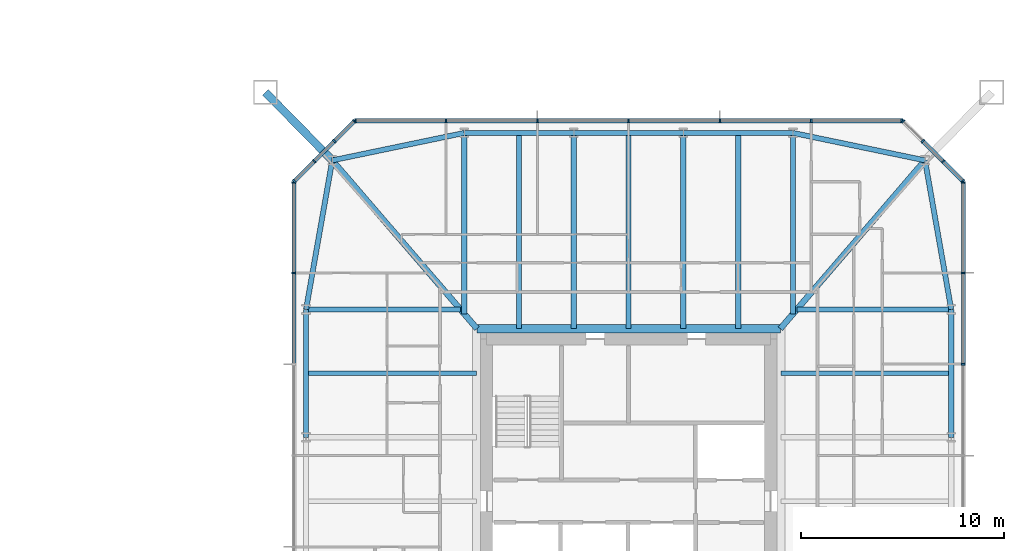
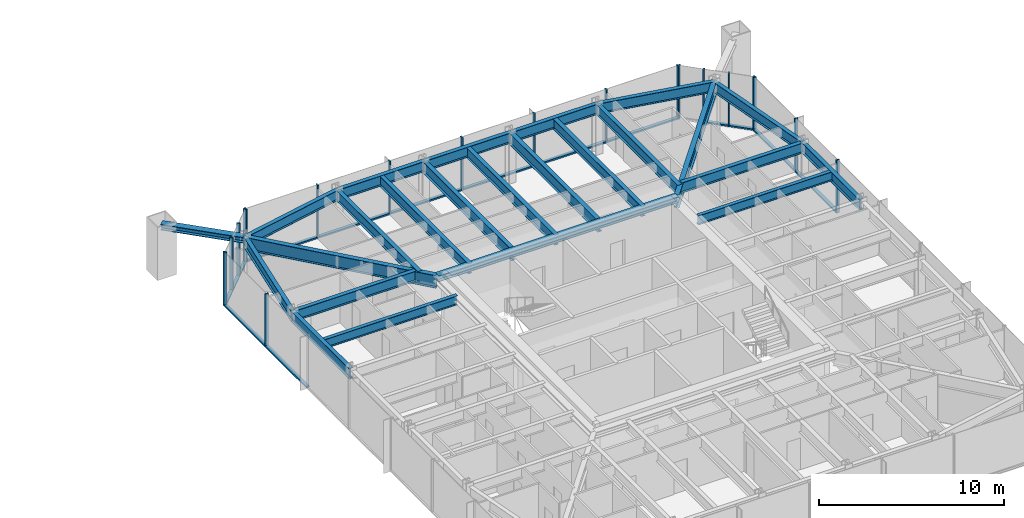
# One storey, part 10 of 26: 36 members, 23 beams, 5 elements without a shape of their own.
"""IFC4 building model written with IfcOpenShell, lengths in metres."""

from ifc_helpers import new_model, si_unit, direction, frame, origin, origin_2d, place, context, subcontext, project, spatial, rectangle, i_section, extrude, material, material_profile, profile_set, type_object, element, aggregate, save


model = new_model("IFC4")

# Units and contexts
model_context = context("Model", 3, precision=1e-05, world=origin(), true_north=direction((0.0, 1.0)))
body_context = subcontext(model_context, "Body", "Model", "MODEL_VIEW")
ifc_project = project(units=[si_unit("LENGTHUNIT", "METRE"), si_unit("AREAUNIT", "SQUARE_METRE"), si_unit("VOLUMEUNIT", "CUBIC_METRE"), si_unit("PLANEANGLEUNIT", "RADIAN"), si_unit("MASSUNIT", "GRAM", prefix="KILO")], contexts=[model_context])

# Site, building, storey
site_placement = place(None, origin())
site = spatial("IfcSite", under=ifc_project, at=site_placement, CompositionType="ELEMENT")
building_placement = place(site_placement, origin())
building = spatial("IfcBuilding", under=site, at=building_placement, Name="Iwan Alto Co-Living Towers", CompositionType="ELEMENT")
storey_placement = place(building_placement, frame((0.0, 0.0, 50.0)))
storey = spatial("IfcBuildingStorey", under=building, at=storey_placement, Name="L13", CompositionType="ELEMENT", Elevation=50.0)

# Curtain wall, members
ifc_material_1 = material(Name="Bronze aluminium unitised frame", Category="aluminium")
curtain_wall_type_1 = type_object("IfcCurtainWallType", Name="CURTAIN WALL CW-C", PredefinedType="NOTDEFINED", material=ifc_material_1)
curtain_wall_1_placement = place(storey_placement, origin())
curtain_wall_1 = element("IfcCurtainWall", 1, at=curtain_wall_1_placement, inside=storey, type_object=curtain_wall_type_1, Name="T2 curtain wall E L13", PredefinedType="NOTDEFINED")
ifc_material_2 = material(Name="Aluminium 6063-T6 bronze anodised", Category="aluminium")
ifc_material_profile_1 = material_profile(ifc_material_2, rectangle(XDim=0.199951171875, YDim=0.080078125, at=origin_2d()), Name="AL 80X200")
ifc_profile_set_1 = profile_set([ifc_material_profile_1], Name="Aluminium 6063-T6 bronze anodised")
member_type_1 = type_object("IfcMemberType", Name="CW-C MULLION 80X200", PredefinedType="MULLION", material=ifc_profile_set_1)
member_1_placement = place(storey_placement, frame((79.5, 6.75, 0.0), z_axis=(0.0, 0.0, 1.0), x_axis=(-1.0, 0.0, 0.0)))
member_1 = element("IfcMember", 2, at=member_1_placement, type_object=member_type_1, Name="CW-C mullion 6", PredefinedType="MULLION", context=body_context, shape_type="SweptSolid", body=[
    extrude(rectangle(XDim=0.199951171875, YDim=0.080078125, at=origin_2d()), origin(), (0.0, 0.0, 1.0), 3.5),
])
member_2_placement = place(storey_placement, frame((79.5, 11.25, 0.0), z_axis=(0.0, 0.0, 1.0), x_axis=(-1.0, 0.0, 0.0)))
member_2 = element("IfcMember", 3, at=member_2_placement, type_object=member_type_1, Name="CW-C mullion 7", PredefinedType="MULLION", context=body_context, shape_type="SweptSolid", body=[
    extrude(rectangle(XDim=0.199951171875, YDim=0.080078125, at=origin_2d()), origin(), (0.0, 0.0, 1.0), 3.5),
])
member_3_placement = place(storey_placement, frame((79.5, 15.7099609375, 0.0), z_axis=(0.0, 0.0, 1.0), x_axis=(-1.0, 0.0, 0.0)))
member_3 = element("IfcMember", 4, at=member_3_placement, type_object=member_type_1, Name="CW-C mullion 8", PredefinedType="MULLION", context=body_context, shape_type="SweptSolid", body=[
    extrude(rectangle(XDim=0.199951171875, YDim=0.080078125, at=origin_2d()), origin(), (0.0, 0.0, 1.0), 3.5),
])

curtain_wall_2_placement = place(storey_placement, origin())
curtain_wall_2 = element("IfcCurtainWall", 5, at=curtain_wall_2_placement, inside=storey, type_object=curtain_wall_type_1, Name="T2 curtain wall N L13", PredefinedType="NOTDEFINED")
member_4_placement = place(storey_placement, frame((76.4599609375, 18.75, 0.0), z_axis=(0.0, 0.0, 1.0), x_axis=(0.0, -1.0, 0.0)))
member_4 = element("IfcMember", 6, at=member_4_placement, type_object=member_type_1, Name="CW-C mullion 1", PredefinedType="MULLION", context=body_context, shape_type="SweptSolid", body=[
    extrude(rectangle(XDim=0.199951171875, YDim=0.080078125, at=origin_2d()), origin(), (0.0, 0.0, 1.0), 3.5),
])
member_5_placement = place(storey_placement, frame((72.0, 18.75, 0.0), z_axis=(0.0, 0.0, 1.0), x_axis=(0.0, -1.0, 0.0)))
member_5 = element("IfcMember", 7, at=member_5_placement, type_object=member_type_1, Name="CW-C mullion 2", PredefinedType="MULLION", context=body_context, shape_type="SweptSolid", body=[
    extrude(rectangle(XDim=0.199951171875, YDim=0.080078125, at=origin_2d()), origin(), (0.0, 0.0, 1.0), 3.5),
])
member_6_placement = place(storey_placement, frame((67.5, 18.75, 0.0), z_axis=(0.0, 0.0, 1.0), x_axis=(0.0, -1.0, 0.0)))
member_6 = element("IfcMember", 8, at=member_6_placement, type_object=member_type_1, Name="CW-C mullion 3", PredefinedType="MULLION", context=body_context, shape_type="SweptSolid", body=[
    extrude(rectangle(XDim=0.199951171875, YDim=0.080078125, at=origin_2d()), origin(), (0.0, 0.0, 1.0), 3.5),
])
member_7_placement = place(storey_placement, frame((63.0, 18.75, 0.0), z_axis=(0.0, 0.0, 1.0), x_axis=(0.0, -1.0, 0.0)))
member_7 = element("IfcMember", 9, at=member_7_placement, type_object=member_type_1, Name="CW-C mullion 4", PredefinedType="MULLION", context=body_context, shape_type="SweptSolid", body=[
    extrude(rectangle(XDim=0.199951171875, YDim=0.080078125, at=origin_2d()), origin(), (0.0, 0.0, 1.0), 3.5),
])
member_8_placement = place(storey_placement, frame((58.5, 18.75, 0.0), z_axis=(0.0, 0.0, 1.0), x_axis=(0.0, -1.0, 0.0)))
member_8 = element("IfcMember", 10, at=member_8_placement, type_object=member_type_1, Name="CW-C mullion 5", PredefinedType="MULLION", context=body_context, shape_type="SweptSolid", body=[
    extrude(rectangle(XDim=0.199951171875, YDim=0.080078125, at=origin_2d()), origin(), (0.0, 0.0, 1.0), 3.5),
])
member_9_placement = place(storey_placement, frame((54.0, 18.75, 0.0), z_axis=(0.0, 0.0, 1.0), x_axis=(0.0, -1.0, 0.0)))
member_9 = element("IfcMember", 11, at=member_9_placement, type_object=member_type_1, Name="CW-C mullion 6", PredefinedType="MULLION", context=body_context, shape_type="SweptSolid", body=[
    extrude(rectangle(XDim=0.199951171875, YDim=0.080078125, at=origin_2d()), origin(), (0.0, 0.0, 1.0), 3.5),
])
member_10_placement = place(storey_placement, frame((49.5400390625, 18.75, 0.0), z_axis=(0.0, 0.0, 1.0), x_axis=(0.0, -1.0, 0.0)))
member_10 = element("IfcMember", 12, at=member_10_placement, type_object=member_type_1, Name="CW-C mullion 7", PredefinedType="MULLION", context=body_context, shape_type="SweptSolid", body=[
    extrude(rectangle(XDim=0.199951171875, YDim=0.080078125, at=origin_2d()), origin(), (0.0, 0.0, 1.0), 3.5),
])

curtain_wall_3_placement = place(storey_placement, origin())
curtain_wall_3 = element("IfcCurtainWall", 13, at=curtain_wall_3_placement, inside=storey, type_object=curtain_wall_type_1, Name="T2 curtain wall W L13", PredefinedType="NOTDEFINED")
member_11_placement = place(storey_placement, frame((46.5, 15.7099609375, 0.0), z_axis=(0.0, 0.0, 1.0), x_axis=(1.0, 0.0, 0.0)))
member_11 = element("IfcMember", 14, at=member_11_placement, type_object=member_type_1, Name="CW-C mullion 1", PredefinedType="MULLION", context=body_context, shape_type="SweptSolid", body=[
    extrude(rectangle(XDim=0.199951171875, YDim=0.080078125, at=origin_2d()), origin(), (0.0, 0.0, 1.0), 3.5),
])
member_12_placement = place(storey_placement, frame((46.5, 11.25, 0.0), z_axis=(0.0, 0.0, 1.0), x_axis=(1.0, 0.0, 0.0)))
member_12 = element("IfcMember", 15, at=member_12_placement, type_object=member_type_1, Name="CW-C mullion 2", PredefinedType="MULLION", context=body_context, shape_type="SweptSolid", body=[
    extrude(rectangle(XDim=0.199951171875, YDim=0.080078125, at=origin_2d()), origin(), (0.0, 0.0, 1.0), 3.5),
])

# Member
ifc_material_3 = material(Name="Aluminium 6063-T6 bronze anodised", Category="aluminium")
ifc_material_profile_2 = material_profile(ifc_material_3, rectangle(XDim=0.199951171875, YDim=0.10009765625, at=origin_2d()), Name="AL 200X100")
ifc_profile_set_2 = profile_set([ifc_material_profile_2], Name="Aluminium 6063-T6 bronze anodised")
member_type_2 = type_object("IfcMemberType", Name="CW-C TRANSOM 200X100", PredefinedType="USERDEFINED", material=ifc_profile_set_2)
member_13_placement = place(storey_placement, frame((79.5, 6.7900390625, 0.050048828125), z_axis=(0.0, 1.0, 0.0), x_axis=(-1.0, 0.0, 0.0)))
member_13 = element("IfcMember", 16, at=member_13_placement, type_object=member_type_2, Name="CW-C transom 6.1", ObjectType="TRANSOM", PredefinedType="USERDEFINED", context=body_context, shape_type="SweptSolid", body=[
    extrude(rectangle(XDim=0.199951171875, YDim=0.10009765625, at=origin_2d()), origin(), (0.0, 0.0, 1.0), 4.419921875),
])

member_14_placement = place(storey_placement, frame((79.5, 11.2900390625, 0.050048828125), z_axis=(0.0, 1.0, 0.0), x_axis=(-1.0, 0.0, 0.0)))
member_14 = element("IfcMember", 17, at=member_14_placement, type_object=member_type_2, Name="CW-C transom 7.1", ObjectType="TRANSOM", PredefinedType="USERDEFINED", context=body_context, shape_type="SweptSolid", body=[
    extrude(rectangle(XDim=0.199951171875, YDim=0.10009765625, at=origin_2d()), origin(), (0.0, 0.0, 1.0), 4.3798828125),
])

aggregate(curtain_wall_1, [member_1, member_2, member_3, member_13, member_14])

member_15_placement = place(storey_placement, frame((76.419921875, 18.75, 0.050048828125), z_axis=(-1.0, 0.0, 0.0), x_axis=(0.0, -1.0, 0.0)))
member_15 = element("IfcMember", 18, at=member_15_placement, type_object=member_type_2, Name="CW-C transom 1.1", ObjectType="TRANSOM", PredefinedType="USERDEFINED", context=body_context, shape_type="SweptSolid", body=[
    extrude(rectangle(XDim=0.199951171875, YDim=0.10009765625, at=origin_2d()), origin(), (0.0, 0.0, 1.0), 4.3798828125),
])

member_16_placement = place(storey_placement, frame((71.9599609375, 18.75, 0.050048828125), z_axis=(-1.0, 0.0, 0.0), x_axis=(0.0, -1.0, 0.0)))
member_16 = element("IfcMember", 19, at=member_16_placement, type_object=member_type_2, Name="CW-C transom 2.1", ObjectType="TRANSOM", PredefinedType="USERDEFINED", context=body_context, shape_type="SweptSolid", body=[
    extrude(rectangle(XDim=0.199951171875, YDim=0.10009765625, at=origin_2d()), origin(), (0.0, 0.0, 1.0), 4.419921875),
])

member_17_placement = place(storey_placement, frame((67.4599609375, 18.75, 0.050048828125), z_axis=(-1.0, 0.0, 0.0), x_axis=(0.0, -1.0, 0.0)))
member_17 = element("IfcMember", 20, at=member_17_placement, type_object=member_type_2, Name="CW-C transom 3.1", ObjectType="TRANSOM", PredefinedType="USERDEFINED", context=body_context, shape_type="SweptSolid", body=[
    extrude(rectangle(XDim=0.199951171875, YDim=0.10009765625, at=origin_2d()), origin(), (0.0, 0.0, 1.0), 4.419921875),
])

member_18_placement = place(storey_placement, frame((62.9599609375, 18.75, 0.050048828125), z_axis=(-1.0, 0.0, 0.0), x_axis=(0.0, -1.0, 0.0)))
member_18 = element("IfcMember", 21, at=member_18_placement, type_object=member_type_2, Name="CW-C transom 4.1", ObjectType="TRANSOM", PredefinedType="USERDEFINED", context=body_context, shape_type="SweptSolid", body=[
    extrude(rectangle(XDim=0.199951171875, YDim=0.10009765625, at=origin_2d()), origin(), (0.0, 0.0, 1.0), 4.419921875),
])

member_19_placement = place(storey_placement, frame((58.4599609375, 18.75, 0.050048828125), z_axis=(-1.0, 0.0, 0.0), x_axis=(0.0, -1.0, 0.0)))
member_19 = element("IfcMember", 22, at=member_19_placement, type_object=member_type_2, Name="CW-C transom 5.1", ObjectType="TRANSOM", PredefinedType="USERDEFINED", context=body_context, shape_type="SweptSolid", body=[
    extrude(rectangle(XDim=0.199951171875, YDim=0.10009765625, at=origin_2d()), origin(), (0.0, 0.0, 1.0), 4.419921875),
])

member_20_placement = place(storey_placement, frame((53.9599609375, 18.75, 0.050048828125), z_axis=(-1.0, 0.0, 0.0), x_axis=(0.0, -1.0, 0.0)))
member_20 = element("IfcMember", 23, at=member_20_placement, type_object=member_type_2, Name="CW-C transom 6.1", ObjectType="TRANSOM", PredefinedType="USERDEFINED", context=body_context, shape_type="SweptSolid", body=[
    extrude(rectangle(XDim=0.199951171875, YDim=0.10009765625, at=origin_2d()), origin(), (0.0, 0.0, 1.0), 4.3798828125),
])

aggregate(curtain_wall_2, [member_4, member_5, member_6, member_7, member_8, member_9, member_10, member_15, member_16, member_17, member_18, member_19, member_20])

member_21_placement = place(storey_placement, frame((46.5, 15.669921875, 0.050048828125), z_axis=(0.0, -1.0, 0.0), x_axis=(1.0, 0.0, 0.0)))
member_21 = element("IfcMember", 24, at=member_21_placement, type_object=member_type_2, Name="CW-C transom 1.1", ObjectType="TRANSOM", PredefinedType="USERDEFINED", context=body_context, shape_type="SweptSolid", body=[
    extrude(rectangle(XDim=0.199951171875, YDim=0.10009765625, at=origin_2d()), origin(), (0.0, 0.0, 1.0), 4.3798828125),
])

member_22_placement = place(storey_placement, frame((46.5, 11.2099609375, 0.050048828125), z_axis=(0.0, -1.0, 0.0), x_axis=(1.0, 0.0, 0.0)))
member_22 = element("IfcMember", 25, at=member_22_placement, type_object=member_type_2, Name="CW-C transom 2.1", ObjectType="TRANSOM", PredefinedType="USERDEFINED", context=body_context, shape_type="SweptSolid", body=[
    extrude(rectangle(XDim=0.199951171875, YDim=0.10009765625, at=origin_2d()), origin(), (0.0, 0.0, 1.0), 4.419921875),
])

aggregate(curtain_wall_3, [member_11, member_12, member_21, member_22])

# Curtain wall, members
ifc_material_4 = material(Name="Bronze aluminium unitised frame", Category="aluminium")
curtain_wall_type_2 = type_object("IfcCurtainWallType", Name="CURTAIN WALL CW-D", PredefinedType="NOTDEFINED", material=ifc_material_4)
curtain_wall_4_placement = place(storey_placement, origin())
curtain_wall_4 = element("IfcCurtainWall", 26, at=curtain_wall_4_placement, inside=storey, type_object=curtain_wall_type_2, Name="T2 chamfer curtain wall NE L13", PredefinedType="NOTDEFINED")
ifc_material_5 = material(Name="Aluminium 6063-T6 bronze anodised", Category="aluminium")
ifc_material_profile_3 = material_profile(ifc_material_5, rectangle(XDim=0.199951171875, YDim=0.080078125, at=origin_2d()), Name="AL 80X200")
ifc_profile_set_3 = profile_set([ifc_material_profile_3], Name="Aluminium 6063-T6 bronze anodised")
member_type_3 = type_object("IfcMemberType", Name="CW-D MULLION 80X200", PredefinedType="MULLION", material=ifc_profile_set_3)
member_23_placement = place(storey_placement, frame((79.4716796875, 15.7783203125, 0.0), z_axis=(0.0, 0.0, 1.0), x_axis=(-0.707106781187, -0.707106781187, 0.0)))
member_23 = element("IfcMember", 27, at=member_23_placement, type_object=member_type_3, Name="CW-D mullion 1", PredefinedType="MULLION", context=body_context, shape_type="SweptSolid", body=[
    extrude(rectangle(XDim=0.199951171875, YDim=0.080078125, at=origin_2d()), origin(), (0.0, 0.0, 1.0), 3.5),
])
member_24_placement = place(storey_placement, frame((78.5, 16.75, 0.0), z_axis=(0.0, 0.0, 1.0), x_axis=(-0.707106781187, -0.707106781187, 0.0)))
member_24 = element("IfcMember", 28, at=member_24_placement, type_object=member_type_3, Name="CW-D mullion 2", PredefinedType="MULLION", context=body_context, shape_type="SweptSolid", body=[
    extrude(rectangle(XDim=0.199951171875, YDim=0.080078125, at=origin_2d()), origin(), (0.0, 0.0, 1.0), 3.5),
])
member_25_placement = place(storey_placement, frame((77.5, 17.75, 0.0), z_axis=(0.0, 0.0, 1.0), x_axis=(-0.707106781187, -0.707106781187, 0.0)))
member_25 = element("IfcMember", 29, at=member_25_placement, type_object=member_type_3, Name="CW-D mullion 3", PredefinedType="MULLION", context=body_context, shape_type="SweptSolid", body=[
    extrude(rectangle(XDim=0.199951171875, YDim=0.080078125, at=origin_2d()), origin(), (0.0, 0.0, 1.0), 3.5),
])
member_26_placement = place(storey_placement, frame((76.5283203125, 18.7216796875, 0.0), z_axis=(0.0, 0.0, 1.0), x_axis=(-0.707106781187, -0.707106781187, 0.0)))
member_26 = element("IfcMember", 30, at=member_26_placement, type_object=member_type_3, Name="CW-D mullion 4", PredefinedType="MULLION", context=body_context, shape_type="SweptSolid", body=[
    extrude(rectangle(XDim=0.199951171875, YDim=0.080078125, at=origin_2d()), origin(), (0.0, 0.0, 1.0), 3.5),
])

curtain_wall_5_placement = place(storey_placement, origin())
curtain_wall_5 = element("IfcCurtainWall", 31, at=curtain_wall_5_placement, inside=storey, type_object=curtain_wall_type_2, Name="T2 chamfer curtain wall NW L13", PredefinedType="NOTDEFINED")
member_27_placement = place(storey_placement, frame((49.4716796875, 18.7216796875, 0.0), z_axis=(0.0, 0.0, 1.0), x_axis=(0.707106781187, -0.707106781187, 0.0)))
member_27 = element("IfcMember", 32, at=member_27_placement, type_object=member_type_3, Name="CW-D mullion 1", PredefinedType="MULLION", context=body_context, shape_type="SweptSolid", body=[
    extrude(rectangle(XDim=0.199951171875, YDim=0.080078125, at=origin_2d()), origin(), (0.0, 0.0, 1.0), 3.5),
])
member_28_placement = place(storey_placement, frame((48.5, 17.75, 0.0), z_axis=(0.0, 0.0, 1.0), x_axis=(0.707106781187, -0.707106781187, 0.0)))
member_28 = element("IfcMember", 33, at=member_28_placement, type_object=member_type_3, Name="CW-D mullion 2", PredefinedType="MULLION", context=body_context, shape_type="SweptSolid", body=[
    extrude(rectangle(XDim=0.199951171875, YDim=0.080078125, at=origin_2d()), origin(), (0.0, 0.0, 1.0), 3.5),
])
member_29_placement = place(storey_placement, frame((47.5, 16.75, 0.0), z_axis=(0.0, 0.0, 1.0), x_axis=(0.707106781187, -0.707106781187, 0.0)))
member_29 = element("IfcMember", 34, at=member_29_placement, type_object=member_type_3, Name="CW-D mullion 3", PredefinedType="MULLION", context=body_context, shape_type="SweptSolid", body=[
    extrude(rectangle(XDim=0.199951171875, YDim=0.080078125, at=origin_2d()), origin(), (0.0, 0.0, 1.0), 3.5),
])
member_30_placement = place(storey_placement, frame((46.5283203125, 15.7783203125, 0.0), z_axis=(0.0, 0.0, 1.0), x_axis=(0.707106781187, -0.707106781187, 0.0)))
member_30 = element("IfcMember", 35, at=member_30_placement, type_object=member_type_3, Name="CW-D mullion 4", PredefinedType="MULLION", context=body_context, shape_type="SweptSolid", body=[
    extrude(rectangle(XDim=0.199951171875, YDim=0.080078125, at=origin_2d()), origin(), (0.0, 0.0, 1.0), 3.5),
])

# Member
ifc_material_6 = material(Name="Aluminium 6063-T6 bronze anodised", Category="aluminium")
ifc_material_profile_4 = material_profile(ifc_material_6, rectangle(XDim=0.199951171875, YDim=0.10009765625, at=origin_2d()), Name="AL 200X100")
ifc_profile_set_4 = profile_set([ifc_material_profile_4], Name="Aluminium 6063-T6 bronze anodised")
member_type_4 = type_object("IfcMemberType", Name="CW-D TRANSOM 200X100", PredefinedType="USERDEFINED", material=ifc_profile_set_4)
member_31_placement = place(storey_placement, frame((79.443359375, 15.806640625, 0.050048828125), z_axis=(-0.707106781187, 0.707106781187, 0.0), x_axis=(-0.707106781187, -0.707106781187, 0.0)))
member_31 = element("IfcMember", 36, at=member_31_placement, type_object=member_type_4, Name="CW-D transom 1.1", ObjectType="TRANSOM", PredefinedType="USERDEFINED", context=body_context, shape_type="SweptSolid", body=[
    extrude(rectangle(XDim=0.199951171875, YDim=0.10009765625, at=origin_2d()), origin(), (0.0, 0.0, 1.0), 1.2939453125),
])

member_32_placement = place(storey_placement, frame((78.4716796875, 16.7783203125, 0.050048828125), z_axis=(-0.707106781187, 0.707106781187, 0.0), x_axis=(-0.707106781187, -0.707106781187, 0.0)))
member_32 = element("IfcMember", 37, at=member_32_placement, type_object=member_type_4, Name="CW-D transom 2.1", ObjectType="TRANSOM", PredefinedType="USERDEFINED", context=body_context, shape_type="SweptSolid", body=[
    extrude(rectangle(XDim=0.199951171875, YDim=0.10009765625, at=origin_2d()), origin(), (0.0, 0.0, 1.0), 1.334228515625),
])

aggregate(curtain_wall_4, [member_23, member_24, member_25, member_26, member_31, member_32])

member_33_placement = place(storey_placement, frame((49.443359375, 18.693359375, 0.050048828125), z_axis=(-0.707106781187, -0.707106781187, 0.0), x_axis=(0.707106781187, -0.707106781187, 0.0)))
member_33 = element("IfcMember", 38, at=member_33_placement, type_object=member_type_4, Name="CW-D transom 1.1", ObjectType="TRANSOM", PredefinedType="USERDEFINED", context=body_context, shape_type="SweptSolid", body=[
    extrude(rectangle(XDim=0.199951171875, YDim=0.10009765625, at=origin_2d()), origin(), (0.0, 0.0, 1.0), 1.2939453125),
])

member_34_placement = place(storey_placement, frame((48.4716796875, 17.7216796875, 0.050048828125), z_axis=(-0.707106781187, -0.707106781187, 0.0), x_axis=(0.707106781187, -0.707106781187, 0.0)))
member_34 = element("IfcMember", 39, at=member_34_placement, type_object=member_type_4, Name="CW-D transom 2.1", ObjectType="TRANSOM", PredefinedType="USERDEFINED", context=body_context, shape_type="SweptSolid", body=[
    extrude(rectangle(XDim=0.199951171875, YDim=0.10009765625, at=origin_2d()), origin(), (0.0, 0.0, 1.0), 1.334228515625),
])

member_35_placement = place(storey_placement, frame((47.4716796875, 16.7216796875, 0.050048828125), z_axis=(-0.707106781187, -0.707106781187, 0.0), x_axis=(0.707106781187, -0.707106781187, 0.0)))
member_35 = element("IfcMember", 40, at=member_35_placement, type_object=member_type_4, Name="CW-D transom 3.1", ObjectType="TRANSOM", PredefinedType="USERDEFINED", context=body_context, shape_type="SweptSolid", body=[
    extrude(rectangle(XDim=0.199951171875, YDim=0.10009765625, at=origin_2d()), origin(), (0.0, 0.0, 1.0), 1.2939453125),
])

aggregate(curtain_wall_5, [member_27, member_28, member_29, member_30, member_33, member_34, member_35])

# Beams
ifc_material_7 = material(Name="Steel ASTM A992 Gr 50", Category="steel")
ifc_material_profile_5 = material_profile(ifc_material_7, i_section(OverallWidth=0.40380859375, OverallDepth=0.406494140625, WebThickness=0.027099609375, FlangeThickness=0.043701171875, at=origin_2d()), Name="W14X233")
ifc_profile_set_5 = profile_set([ifc_material_profile_5], Name="Steel ASTM A992 Gr 50")
beam_type_1 = type_object("IfcBeamType", Name="T2 CORE LEDGER BEAM W14X233", PredefinedType="BEAM", material=ifc_profile_set_5)
beam_1_placement = place(storey_placement, frame((70.4736328125, 8.501953125, 3.06689453125), z_axis=(-1.0, 0.0, 0.0), x_axis=(0.0, -1.0, 0.0)))
element("IfcBeam", 41, at=beam_1_placement, inside=storey, type_object=beam_type_1, Name="T2 core ledger beam N L14", PredefinedType="BEAM", context=body_context, shape_type="SweptSolid", body=[
    extrude(i_section(OverallWidth=0.40380859375, OverallDepth=0.406494140625, WebThickness=0.027099609375, FlangeThickness=0.043701171875, at=origin_2d()), origin(), (0.0, 0.0, 1.0), 14.947265625),
])
ifc_material_8 = material(Name="Steel ASTM A992 Gr 50", Category="steel")
ifc_material_profile_6 = material_profile(ifc_material_8, i_section(OverallWidth=0.2919921875, OverallDepth=0.8408203125, WebThickness=0.0146484375, FlangeThickness=0.021728515625, at=origin_2d()), Name="W33X130")
ifc_profile_set_6 = profile_set([ifc_material_profile_6], Name="Steel ASTM A992 Gr 50")
beam_type_2 = type_object("IfcBeamType", Name="T2 CORNER GIRDER W33X130", PredefinedType="BEAM", material=ifc_profile_set_6)
for number, where, z_axis, x_axis, name in (
    (42, (77.606201171875, 16.797119140625, 2.849609375), (-0.651972301827, -0.758242782788, 0.0), (0.758242782788, -0.651972301827, 0.0), "T2 corner girder CNE L14"),
    (43, (48.393798828125, 16.797119140625, 2.849609375), (0.651972301827, -0.758242782788, 0.0), (0.758242782788, 0.651972301827, 0.0), "T2 corner girder CNW L14"),
):
    element("IfcBeam", number, at=place(storey_placement, frame(where, z_axis=z_axis, x_axis=x_axis)), inside=storey, type_object=beam_type_2, Name=name, PredefinedType="BEAM", context=body_context, shape_type="SweptSolid", body=[
        extrude(i_section(OverallWidth=0.2919921875, OverallDepth=0.8408203125, WebThickness=0.0146484375, FlangeThickness=0.021728515625, at=origin_2d()), origin(), (0.0, 0.0, 1.0), 10.93994140625),
    ])
ifc_material_9 = material(Name="Steel ASTM A992 Gr 50", Category="steel")
ifc_material_profile_7 = material_profile(ifc_material_9, i_section(OverallWidth=0.25390625, OverallDepth=0.683349609375, WebThickness=0.012451171875, FlangeThickness=0.018798828125, at=origin_2d()), Name="W27X94")
ifc_profile_set_7 = profile_set([ifc_material_profile_7], Name="Steel ASTM A992 Gr 50")
beam_type_3 = type_object("IfcBeamType", Name="T2 EDGE BEAM W27X94", PredefinedType="BEAM", material=ifc_profile_set_7)
beam_2_placement = place(storey_placement, frame((78.89990234375, 3.14990234375, 2.928466796875), z_axis=(0.0, 1.0, 0.0), x_axis=(-1.0, 0.0, 0.0)))
element("IfcBeam", 44, at=beam_2_placement, inside=storey, type_object=beam_type_3, Name="T2 edge beam E3 L14", PredefinedType="BEAM", context=body_context, shape_type="SweptSolid", body=[
    extrude(i_section(OverallWidth=0.25390625, OverallDepth=0.683349609375, WebThickness=0.012451171875, FlangeThickness=0.018798828125, at=origin_2d()), origin(), (0.0, 0.0, 1.0), 6.300048828125),
])
beam_3_placement = place(storey_placement, frame((78.89990234375, 9.449951171875, 2.928466796875), z_axis=(-0.173413807283, 0.98484905008, 0.0), x_axis=(-0.98484905008, -0.173413807283, 0.0)))
element("IfcBeam", 45, at=beam_3_placement, inside=storey, type_object=beam_type_3, Name="T2 edge beam E4 L14", PredefinedType="BEAM", context=body_context, shape_type="SweptSolid", body=[
    extrude(i_section(OverallWidth=0.25390625, OverallDepth=0.683349609375, WebThickness=0.012451171875, FlangeThickness=0.018798828125, at=origin_2d()), origin(), (0.0, 0.0, 1.0), 7.460205078125),
])
beam_4_placement = place(storey_placement, frame((77.606201171875, 16.797119140625, 2.928466796875), z_axis=(-0.979060119423, 0.203571320564, 0.0), x_axis=(-0.203571320564, -0.979060119423, 0.0)))
element("IfcBeam", 46, at=beam_4_placement, inside=storey, type_object=beam_type_3, Name="T2 edge beam CNE L14", PredefinedType="BEAM", context=body_context, shape_type="SweptSolid", body=[
    extrude(i_section(OverallWidth=0.25390625, OverallDepth=0.683349609375, WebThickness=0.012451171875, FlangeThickness=0.018798828125, at=origin_2d()), origin(), (0.0, 0.0, 1.0), 6.645263671875),
])
beam_5_placement = place(storey_placement, frame((71.10009765625, 18.14990234375, 2.928466796875), z_axis=(-1.0, 0.0, 0.0), x_axis=(0.0, -1.0, 0.0)))
element("IfcBeam", 47, at=beam_5_placement, inside=storey, type_object=beam_type_3, Name="T2 edge beam N1 L14", PredefinedType="BEAM", context=body_context, shape_type="SweptSolid", body=[
    extrude(i_section(OverallWidth=0.25390625, OverallDepth=0.683349609375, WebThickness=0.012451171875, FlangeThickness=0.018798828125, at=origin_2d()), origin(), (0.0, 0.0, 1.0), 5.400146484375),
])
beam_6_placement = place(storey_placement, frame((65.699951171875, 18.14990234375, 2.928466796875), z_axis=(-1.0, 0.0, 0.0), x_axis=(0.0, -1.0, 0.0)))
element("IfcBeam", 48, at=beam_6_placement, inside=storey, type_object=beam_type_3, Name="T2 edge beam N2 L14", PredefinedType="BEAM", context=body_context, shape_type="SweptSolid", body=[
    extrude(i_section(OverallWidth=0.25390625, OverallDepth=0.683349609375, WebThickness=0.012451171875, FlangeThickness=0.018798828125, at=origin_2d()), origin(), (0.0, 0.0, 1.0), 5.39990234375),
])
beam_7_placement = place(storey_placement, frame((60.300048828125, 18.14990234375, 2.928466796875), z_axis=(-1.0, 0.0, 0.0), x_axis=(0.0, -1.0, 0.0)))
element("IfcBeam", 49, at=beam_7_placement, inside=storey, type_object=beam_type_3, Name="T2 edge beam N3 L14", PredefinedType="BEAM", context=body_context, shape_type="SweptSolid", body=[
    extrude(i_section(OverallWidth=0.25390625, OverallDepth=0.683349609375, WebThickness=0.012451171875, FlangeThickness=0.018798828125, at=origin_2d()), origin(), (0.0, 0.0, 1.0), 5.400146484375),
])
beam_8_placement = place(storey_placement, frame((54.89990234375, 18.14990234375, 2.928466796875), z_axis=(-0.979060119423, -0.203571320564, 0.0), x_axis=(0.203571320564, -0.979060119423, 0.0)))
element("IfcBeam", 50, at=beam_8_placement, inside=storey, type_object=beam_type_3, Name="T2 edge beam N4 L14", PredefinedType="BEAM", context=body_context, shape_type="SweptSolid", body=[
    extrude(i_section(OverallWidth=0.25390625, OverallDepth=0.683349609375, WebThickness=0.012451171875, FlangeThickness=0.018798828125, at=origin_2d()), origin(), (0.0, 0.0, 1.0), 6.645263671875),
])
beam_9_placement = place(storey_placement, frame((48.393798828125, 16.797119140625, 2.928466796875), z_axis=(-0.173413807283, -0.98484905008, 0.0), x_axis=(0.98484905008, -0.173413807283, 0.0)))
element("IfcBeam", 51, at=beam_9_placement, inside=storey, type_object=beam_type_3, Name="T2 edge beam CNW L14", PredefinedType="BEAM", context=body_context, shape_type="SweptSolid", body=[
    extrude(i_section(OverallWidth=0.25390625, OverallDepth=0.683349609375, WebThickness=0.012451171875, FlangeThickness=0.018798828125, at=origin_2d()), origin(), (0.0, 0.0, 1.0), 7.460205078125),
])
beam_10_placement = place(storey_placement, frame((47.10009765625, 9.449951171875, 2.928466796875), z_axis=(0.0, -1.0, 0.0), x_axis=(1.0, 0.0, 0.0)))
element("IfcBeam", 52, at=beam_10_placement, inside=storey, type_object=beam_type_3, Name="T2 edge beam W1 L14", PredefinedType="BEAM", context=body_context, shape_type="SweptSolid", body=[
    extrude(i_section(OverallWidth=0.25390625, OverallDepth=0.683349609375, WebThickness=0.012451171875, FlangeThickness=0.018798828125, at=origin_2d()), origin(), (0.0, 0.0, 1.0), 6.300048828125),
])

# Member
ifc_material_10 = material(Name="Steel ASTM A992 Gr 50", Category="steel")
ifc_material_profile_8 = material_profile(ifc_material_10, i_section(OverallWidth=0.393798828125, OverallDepth=0.3759765625, WebThickness=0.017333984375, FlangeThickness=0.027587890625, at=origin_2d()), Name="W14X145")
ifc_profile_set_8 = profile_set([ifc_material_profile_8], Name="Steel ASTM A992 Gr 50")
member_type_5 = type_object("IfcMemberType", Name="T2 MEGA COLUMN FLOOR TIE W14X145", PredefinedType="STRUT", material=ifc_profile_set_8)
member_36_placement = place(storey_placement, frame((45.10009765625, 20.14990234375, 3.08203125), z_axis=(0.700793469544, -0.71336422187, 0.0), x_axis=(0.71336422187, 0.700793469544, 0.0)))
element("IfcMember", 53, at=member_36_placement, inside=storey, type_object=member_type_5, Name="T2 mega column floor tie NW L14", PredefinedType="STRUT", context=body_context, shape_type="SweptSolid", body=[
    extrude(i_section(OverallWidth=0.393798828125, OverallDepth=0.3759765625, WebThickness=0.017333984375, FlangeThickness=0.027587890625, at=origin_2d()), origin(), (0.0, 0.0, 1.0), 4.699951171875),
])

# Beams
ifc_material_11 = material(Name="Steel ASTM A992 Gr 50", Category="steel")
ifc_material_profile_9 = material_profile(ifc_material_11, i_section(OverallWidth=0.25390625, OverallDepth=0.683349609375, WebThickness=0.012451171875, FlangeThickness=0.018798828125, at=origin_2d()), Name="W27X94")
ifc_profile_set_9 = profile_set([ifc_material_profile_9], Name="Steel ASTM A992 Gr 50")
beam_type_4 = type_object("IfcBeamType", Name="T2 RADIAL BEAM W27X94", PredefinedType="BEAM", material=ifc_profile_set_9)
beam_11_placement = place(storey_placement, frame((78.89990234375, 9.449951171875, 2.928466796875), z_axis=(-1.0, 0.0, 0.0), x_axis=(0.0, -1.0, 0.0)))
element("IfcBeam", 54, at=beam_11_placement, inside=storey, type_object=beam_type_4, Name="T2 radial beam E4 L14", PredefinedType="BEAM", context=body_context, shape_type="SweptSolid", body=[
    extrude(i_section(OverallWidth=0.25390625, OverallDepth=0.683349609375, WebThickness=0.012451171875, FlangeThickness=0.018798828125, at=origin_2d()), origin(), (0.0, 0.0, 1.0), 7.611083984375),
])
for number, where, z_axis, x_axis, name in (
    (55, (71.10009765625, 18.14990234375, 2.928466796875), (0.0, -1.0, 0.0), (1.0, 0.0, 0.0), "T2 radial beam N1 L14"),
    (56, (54.89990234375, 18.14990234375, 2.928466796875), (0.0, -1.0, 0.0), (1.0, 0.0, 0.0), "T2 radial beam N4 L14"),
):
    element("IfcBeam", number, at=place(storey_placement, frame(where, z_axis=z_axis, x_axis=x_axis)), inside=storey, type_object=beam_type_4, Name=name, PredefinedType="BEAM", context=body_context, shape_type="SweptSolid", body=[
        extrude(i_section(OverallWidth=0.25390625, OverallDepth=0.683349609375, WebThickness=0.012451171875, FlangeThickness=0.018798828125, at=origin_2d()), origin(), (0.0, 0.0, 1.0), 8.91943359375),
    ])
beam_12_placement = place(storey_placement, frame((47.10009765625, 9.449951171875, 2.928466796875), z_axis=(1.0, 0.0, 0.0), x_axis=(0.0, 1.0, 0.0)))
element("IfcBeam", 57, at=beam_12_placement, inside=storey, type_object=beam_type_4, Name="T2 radial beam W1 L14", PredefinedType="BEAM", context=body_context, shape_type="SweptSolid", body=[
    extrude(i_section(OverallWidth=0.25390625, OverallDepth=0.683349609375, WebThickness=0.012451171875, FlangeThickness=0.018798828125, at=origin_2d()), origin(), (0.0, 0.0, 1.0), 7.611083984375),
])
ifc_material_12 = material(Name="Steel ASTM A992 Gr 50", Category="steel")
ifc_material_profile_10 = material_profile(ifc_material_12, i_section(OverallWidth=0.2666015625, OverallDepth=0.761962890625, WebThickness=0.014404296875, FlangeThickness=0.021484375, at=origin_2d()), Name="W30X116")
ifc_profile_set_10 = profile_set([ifc_material_profile_10], Name="Steel ASTM A992 Gr 50")
beam_type_5 = type_object("IfcBeamType", Name="T2 RADIAL BEAM W30X116", PredefinedType="BEAM", material=ifc_profile_set_10)
for number, where, z_axis, x_axis, name in (
    (58, (65.699951171875, 18.14990234375, 2.888916015625), (0.0, -1.0, 0.0), (1.0, 0.0, 0.0), "T2 radial beam N2 L14"),
    (59, (60.300048828125, 18.14990234375, 2.888916015625), (0.0, -1.0, 0.0), (1.0, 0.0, 0.0), "T2 radial beam N3 L14"),
):
    element("IfcBeam", number, at=place(storey_placement, frame(where, z_axis=z_axis, x_axis=x_axis)), inside=storey, type_object=beam_type_5, Name=name, PredefinedType="BEAM", context=body_context, shape_type="SweptSolid", body=[
        extrude(i_section(OverallWidth=0.2666015625, OverallDepth=0.761962890625, WebThickness=0.014404296875, FlangeThickness=0.021484375, at=origin_2d()), origin(), (0.0, 0.0, 1.0), 9.64794921875),
    ])
ifc_material_13 = material(Name="Steel ASTM A992 Gr 50", Category="steel")
ifc_material_profile_11 = material_profile(ifc_material_13, i_section(OverallWidth=0.228271484375, OverallDepth=0.607177734375, WebThickness=0.01123046875, FlangeThickness=0.017333984375, at=origin_2d()), Name="W24X76")
ifc_profile_set_11 = profile_set([ifc_material_profile_11], Name="Steel ASTM A992 Gr 50")
beam_type_6 = type_object("IfcBeamType", Name="T2 SECONDARY BEAM W24X76", PredefinedType="JOIST", material=ifc_profile_set_11)
for number, where, z_axis, x_axis, name in (
    (60, (78.89990234375, 6.300048828125, 2.966552734375), (-1.0, 0.0, 0.0), (0.0, -1.0, 0.0), "T2 secondary beam E3 L14"),
    (61, (47.10009765625, 6.300048828125, 2.966552734375), (1.0, 0.0, 0.0), (0.0, 1.0, 0.0), "T2 secondary beam W1 L14"),
):
    element("IfcBeam", number, at=place(storey_placement, frame(where, z_axis=z_axis, x_axis=x_axis)), inside=storey, type_object=beam_type_6, Name=name, PredefinedType="JOIST", context=body_context, shape_type="SweptSolid", body=[
        extrude(i_section(OverallWidth=0.228271484375, OverallDepth=0.607177734375, WebThickness=0.01123046875, FlangeThickness=0.017333984375, at=origin_2d()), origin(), (0.0, 0.0, 1.0), 8.39794921875),
    ])
ifc_material_14 = material(Name="Steel ASTM A992 Gr 50", Category="steel")
ifc_material_profile_12 = material_profile(ifc_material_14, i_section(OverallWidth=0.25390625, OverallDepth=0.683349609375, WebThickness=0.012451171875, FlangeThickness=0.018798828125, at=origin_2d()), Name="W27X94")
ifc_profile_set_12 = profile_set([ifc_material_profile_12], Name="Steel ASTM A992 Gr 50")
beam_type_7 = type_object("IfcBeamType", Name="T2 SECONDARY BEAM W27X94", PredefinedType="JOIST", material=ifc_profile_set_12)
for number, where, z_axis, x_axis, name in (
    (62, (68.39990234375, 18.14990234375, 2.928466796875), (0.0, -1.0, 0.0), (1.0, 0.0, 0.0), "T2 secondary beam N1 L14"),
    (63, (63.0, 18.14990234375, 2.928466796875), (0.0, -1.0, 0.0), (1.0, 0.0, 0.0), "T2 secondary beam N2 L14"),
    (64, (57.60009765625, 18.14990234375, 2.928466796875), (0.0, -1.0, 0.0), (1.0, 0.0, 0.0), "T2 secondary beam N3 L14"),
):
    element("IfcBeam", number, at=place(storey_placement, frame(where, z_axis=z_axis, x_axis=x_axis)), inside=storey, type_object=beam_type_7, Name=name, PredefinedType="JOIST", context=body_context, shape_type="SweptSolid", body=[
        extrude(i_section(OverallWidth=0.25390625, OverallDepth=0.683349609375, WebThickness=0.012451171875, FlangeThickness=0.018798828125, at=origin_2d()), origin(), (0.0, 0.0, 1.0), 9.64794921875),
    ])

save(model, "model.ifc")
